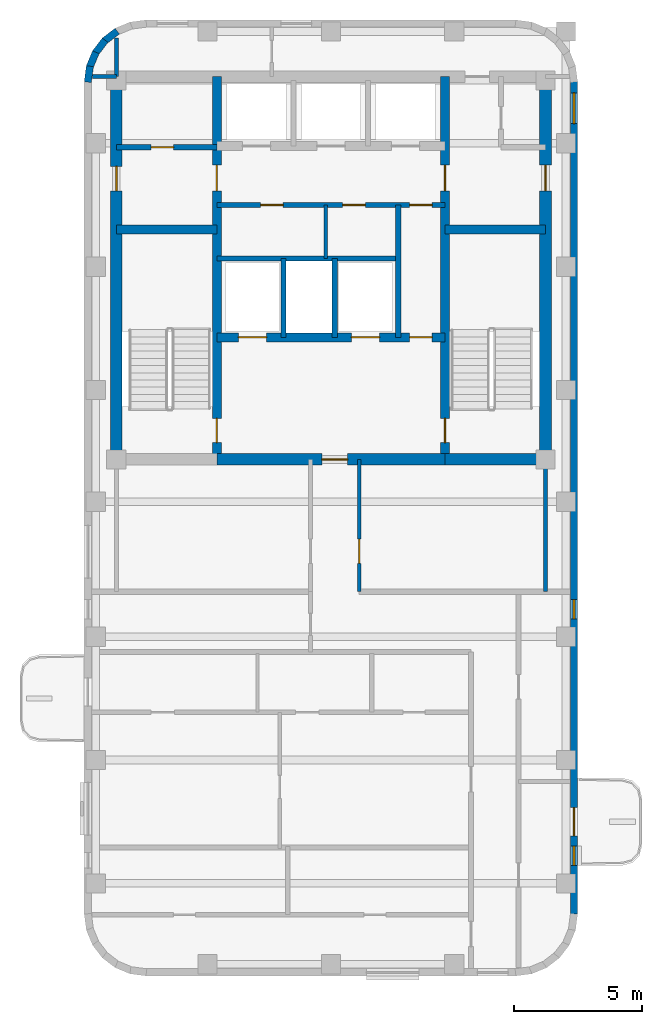
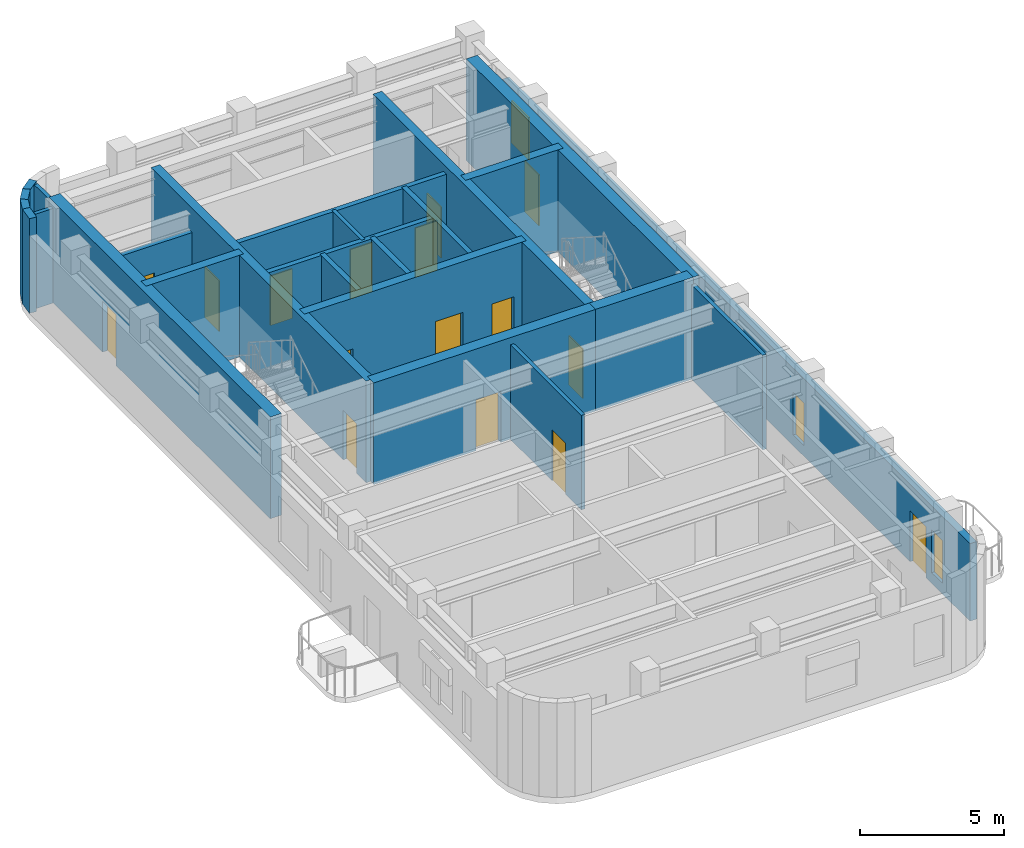
# One storey, part 3 of 5: 25 walls, 16 doors, 3 windows, 19 openings.
"""IFC4 building model written with IfcOpenShell, lengths in metres."""

from ifc_helpers import new_model, si_unit, direction, frame, frame_2d, origin, place, context, subcontext, project, spatial, rectangle, extrude, material, layer, layer_set, type_object, element, fill, save


model = new_model("IFC4")

# Units and contexts
model_context = context("Model", 3, precision=1e-05, world=origin(), true_north=direction((0.0, 1.0)))
body_context = subcontext(model_context, "Body", "Model", "MODEL_VIEW")
ifc_project = project(units=[si_unit("LENGTHUNIT", "METRE"), si_unit("AREAUNIT", "SQUARE_METRE"), si_unit("VOLUMEUNIT", "CUBIC_METRE"), si_unit("PLANEANGLEUNIT", "RADIAN"), si_unit("MASSUNIT", "GRAM", prefix="KILO")], contexts=[model_context])

# Site, building, storey
site_placement = place(None, origin())
site = spatial("IfcSite", under=ifc_project, at=site_placement, CompositionType="ELEMENT")
building_placement = place(site_placement, origin())
building = spatial("IfcBuilding", under=site, at=building_placement, Name="Orvandelia Arch Residences", CompositionType="ELEMENT")
storey_placement = place(building_placement, frame((0.0, 0.0, 287.10009765625)))
storey = spatial("IfcBuildingStorey", under=building, at=storey_placement, Name="L74", CompositionType="ELEMENT", Elevation=287.10009765625)

# Wall, openings, doors
ifc_material_1 = material(Name="Concrete C50/60", Category="concrete")
ifc_layer_1 = layer(ifc_material_1, 0.35009765625, Name="Concrete C50/60", Category="concrete")
ifc_layer_set_1 = layer_set([ifc_layer_1], Name="Concrete C50/60")
wall_type_1 = type_object("IfcWallType", Name="WL-CORE-350", PredefinedType="SHEAR", material=ifc_layer_set_1)
wall_1_placement = place(storey_placement, frame((9.9599609375, 30.89990234375, 0.0), z_axis=(0.0, 0.0, 1.0), x_axis=(0.0, 1.0, 0.0)))
wall_1 = element("IfcWall", 1, at=wall_1_placement, inside=storey, type_object=wall_type_1, Name="Core Shear Wall L74-WEB1", PredefinedType="SHEAR", context=body_context, shape_type="SweptSolid", body=[
    extrude(rectangle(XDim=14.900146484375, YDim=0.35009765625, at=frame_2d((7.4501953125, 0.0))), origin(), (0.0, 0.0, 1.0), 4.2998046875),
])
opening_1_placement = place(wall_1_placement, frame((0.64990234375, 0.0, 0.0)))
opening_1 = element("IfcOpeningElement", 2, at=opening_1_placement, cuts=wall_1, Name="Opening D7", PredefinedType="OPENING", context=body_context, shape_type="SweptSolid", body=[
    extrude(rectangle(XDim=0.949951171875, YDim=2.10009765625, at=frame_2d((0.47509765625, 1.050048828125))), frame((0.0, 0.18505859375, 0.0), z_axis=(0.0, -1.0, 0.0), x_axis=(1.0, 0.0, 0.0)), (0.0, 0.0, 1.0), 0.3701171875),
])
opening_2_placement = place(wall_1_placement, frame((10.449951171875, 0.0, 0.0)))
opening_2 = element("IfcOpeningElement", 3, at=opening_2_placement, cuts=wall_1, Name="Opening D6", PredefinedType="OPENING", context=body_context, shape_type="SweptSolid", body=[
    extrude(rectangle(XDim=1.0, YDim=2.14990234375, at=frame_2d((0.5, 1.074951171875))), frame((0.0, 0.18505859375, 0.0), z_axis=(0.0, -1.0, 0.0), x_axis=(1.0, 0.0, 0.0)), (0.0, 0.0, 1.0), 0.3701171875),
])
ifc_material_2 = material(Name="Smokeproof Painted Steel Fire Door", Category="steel")
door_type_1 = type_object("IfcDoorType", Name="DR-FD60-1000", OperationType="NOTDEFINED", PredefinedType="DOOR", material=ifc_material_2)
door_1_placement = place(opening_2_placement, origin())
door_1 = element("IfcDoor", 4, at=door_1_placement, inside=storey, type_object=door_type_1, Name="High-Rise Lift Hall West Vestibule Door L74", OperationType="SINGLE_SWING_LEFT", OverallHeight=2.14990234375, OverallWidth=1.0, PredefinedType="DOOR", context=body_context, shape_type="SweptSolid", body=[
    extrude(rectangle(XDim=1.0, YDim=2.14990234375, at=frame_2d((0.5, 1.074951171875))), frame((0.0, 0.02490234375, 0.0), z_axis=(0.0, -1.0, 0.0), x_axis=(1.0, 0.0, 0.0)), (0.0, 0.0, 1.0), 0.050048828125),
])
fill(opening_2, door_1)
ifc_material_3 = material(Name="Pressurised Stairwell Fire Door")
door_type_2 = type_object("IfcDoorType", Name="DR-STAIR-950", OperationType="NOTDEFINED", PredefinedType="DOOR", material=ifc_material_3)
door_2_placement = place(opening_1_placement, origin())
door_2 = element("IfcDoor", 5, at=door_2_placement, inside=storey, type_object=door_type_2, Name="Stairwell ST-1 Fire Door L74", OperationType="SINGLE_SWING_LEFT", OverallHeight=2.10009765625, OverallWidth=0.949951171875, PredefinedType="DOOR", context=body_context, shape_type="SweptSolid", body=[
    extrude(rectangle(XDim=0.949951171875, YDim=2.10009765625, at=frame_2d((0.47509765625, 1.050048828125))), frame((0.0, 0.02490234375, 0.0), z_axis=(0.0, -1.0, 0.0), x_axis=(1.0, 0.0, 0.0)), (0.0, 0.0, 1.0), 0.050048828125),
])
fill(opening_1, door_2)

wall_2_placement = place(storey_placement, frame((18.840087890625, 30.89990234375, 0.0), z_axis=(0.0, 0.0, 1.0), x_axis=(0.0, 1.0, 0.0)))
wall_2 = element("IfcWall", 6, at=wall_2_placement, inside=storey, type_object=wall_type_1, Name="Core Shear Wall L74-WEB2", PredefinedType="SHEAR", context=body_context, shape_type="SweptSolid", body=[
    extrude(rectangle(XDim=14.900146484375, YDim=0.35009765625, at=frame_2d((7.4501953125, 0.0))), origin(), (0.0, 0.0, 1.0), 4.2998046875),
])
opening_3_placement = place(wall_2_placement, frame((0.64990234375, 0.0, 0.0)))
opening_3 = element("IfcOpeningElement", 7, at=opening_3_placement, cuts=wall_2, Name="Opening D7", PredefinedType="OPENING", context=body_context, shape_type="SweptSolid", body=[
    extrude(rectangle(XDim=0.949951171875, YDim=2.10009765625, at=frame_2d((0.47509765625, 1.050048828125))), frame((0.0, 0.18505859375, 0.0), z_axis=(0.0, -1.0, 0.0), x_axis=(1.0, 0.0, 0.0)), (0.0, 0.0, 1.0), 0.3701171875),
])
opening_4_placement = place(wall_2_placement, frame((10.449951171875, 0.0, 0.0)))
opening_4 = element("IfcOpeningElement", 8, at=opening_4_placement, cuts=wall_2, Name="Opening D6", PredefinedType="OPENING", context=body_context, shape_type="SweptSolid", body=[
    extrude(rectangle(XDim=1.0, YDim=2.14990234375, at=frame_2d((0.5, 1.074951171875))), frame((0.0, 0.18505859375, 0.0), z_axis=(0.0, -1.0, 0.0), x_axis=(1.0, 0.0, 0.0)), (0.0, 0.0, 1.0), 0.3701171875),
])
door_3_placement = place(opening_4_placement, origin())
door_3 = element("IfcDoor", 9, at=door_3_placement, inside=storey, type_object=door_type_1, Name="High-Rise Lift Hall East Vestibule Door L74", OperationType="SINGLE_SWING_RIGHT", OverallHeight=2.14990234375, OverallWidth=1.0, PredefinedType="DOOR", context=body_context, shape_type="SweptSolid", body=[
    extrude(rectangle(XDim=1.0, YDim=2.14990234375, at=frame_2d((0.5, 1.074951171875))), frame((0.0, 0.02490234375, 0.0), z_axis=(0.0, -1.0, 0.0), x_axis=(1.0, 0.0, 0.0)), (0.0, 0.0, 1.0), 0.050048828125),
])
fill(opening_4, door_3)
door_4_placement = place(opening_3_placement, origin())
door_4 = element("IfcDoor", 10, at=door_4_placement, inside=storey, type_object=door_type_2, Name="Stairwell ST-2 Fire Door L74", OperationType="SINGLE_SWING_RIGHT", OverallHeight=2.10009765625, OverallWidth=0.949951171875, PredefinedType="DOOR", context=body_context, shape_type="SweptSolid", body=[
    extrude(rectangle(XDim=0.949951171875, YDim=2.10009765625, at=frame_2d((0.47509765625, 1.050048828125))), frame((0.0, 0.02490234375, 0.0), z_axis=(0.0, -1.0, 0.0), x_axis=(1.0, 0.0, 0.0)), (0.0, 0.0, 1.0), 0.050048828125),
])
fill(opening_3, door_4)

# Walls
for number, where, z_axis, x_axis, name in (
    (11, (6.050048828125, 39.85009765625, 0.0), (0.0, 0.0, 1.0), (1.0, 0.0, 0.0), "Core Shear Wall L74-HZ1"),
    (12, (18.840087890625, 39.85009765625, 0.0), (0.0, 0.0, 1.0), (1.0, 0.0, 0.0), "Core Shear Wall L74-HZ2"),
):
    element("IfcWall", number, at=place(storey_placement, frame(where, z_axis=z_axis, x_axis=x_axis)), inside=storey, type_object=wall_type_1, Name=name, PredefinedType="SHEAR", context=body_context, shape_type="SweptSolid", body=[
        extrude(rectangle(XDim=3.909912109375, YDim=0.35009765625, at=frame_2d((1.955078125, 0.0))), origin(), (0.0, 0.0, 1.0), 4.2998046875),
    ])

# Wall, openings, doors
wall_3_placement = place(storey_placement, frame((9.9599609375, 35.64990234375, 0.0), z_axis=(0.0, 0.0, 1.0), x_axis=(1.0, 0.0, 0.0)))
wall_3 = element("IfcWall", 13, at=wall_3_placement, inside=storey, type_object=wall_type_1, Name="Core Shear Wall L74-HZ3", PredefinedType="SHEAR", context=body_context, shape_type="SweptSolid", body=[
    extrude(rectangle(XDim=8.880126953125, YDim=0.35009765625, at=frame_2d((4.43994140625, 0.0))), origin(), (0.0, 0.0, 1.0), 4.2998046875),
])
opening_5_placement = place(wall_3_placement, frame((0.840087890625, 0.0, 0.0)))
opening_5 = element("IfcOpeningElement", 14, at=opening_5_placement, cuts=wall_3, Name="Opening FLD", PredefinedType="OPENING", context=body_context, shape_type="SweptSolid", body=[
    extrude(rectangle(XDim=1.10009765625, YDim=2.14990234375, at=frame_2d((0.550048828125, 1.074951171875))), frame((0.0, 0.18505859375, 0.0), z_axis=(0.0, -1.0, 0.0), x_axis=(1.0, 0.0, 0.0)), (0.0, 0.0, 1.0), 0.3701171875),
])
opening_6_placement = place(wall_3_placement, frame((5.239990234375, 0.0, 0.0)))
opening_6 = element("IfcOpeningElement", 15, at=opening_6_placement, cuts=wall_3, Name="Opening FLD", PredefinedType="OPENING", context=body_context, shape_type="SweptSolid", body=[
    extrude(rectangle(XDim=1.10009765625, YDim=2.14990234375, at=frame_2d((0.550048828125, 1.074951171875))), frame((0.0, 0.18505859375, 0.0), z_axis=(0.0, -1.0, 0.0), x_axis=(1.0, 0.0, 0.0)), (0.0, 0.0, 1.0), 0.3701171875),
])
opening_7_placement = place(wall_3_placement, frame((7.5, 0.0, 0.0)))
opening_7 = element("IfcOpeningElement", 16, at=opening_7_placement, cuts=wall_3, Name="Opening D5", PredefinedType="OPENING", context=body_context, shape_type="SweptSolid", body=[
    extrude(rectangle(XDim=0.8798828125, YDim=2.10009765625, at=frame_2d((0.43994140625, 1.050048828125))), frame((0.0, 0.18505859375, 0.0), z_axis=(0.0, -1.0, 0.0), x_axis=(1.0, 0.0, 0.0)), (0.0, 0.0, 1.0), 0.3701171875),
])
ifc_material_4 = material(Name="Firefighting Lift Stainless Sliding Door")
door_type_3 = type_object("IfcDoorType", Name="DR-FLFT-1100", OperationType="NOTDEFINED", PredefinedType="DOOR", material=ifc_material_4)
door_5_placement = place(opening_5_placement, origin())
door_5 = element("IfcDoor", 17, at=door_5_placement, inside=storey, type_object=door_type_3, Name="Firefighting Lift Landing Door FLD-FL1-L74", OperationType="SLIDING_TO_LEFT", OverallHeight=2.14990234375, OverallWidth=1.10009765625, PredefinedType="DOOR", context=body_context, shape_type="SweptSolid", body=[
    extrude(rectangle(XDim=1.10009765625, YDim=2.14990234375, at=frame_2d((0.550048828125, 1.074951171875))), frame((0.0, 0.02490234375, 0.0), z_axis=(0.0, -1.0, 0.0), x_axis=(1.0, 0.0, 0.0)), (0.0, 0.0, 1.0), 0.050048828125),
])
fill(opening_5, door_5)
door_6_placement = place(opening_6_placement, origin())
door_6 = element("IfcDoor", 18, at=door_6_placement, inside=storey, type_object=door_type_3, Name="Firefighting Lift Landing Door FLD-FL2-L74", OperationType="SLIDING_TO_RIGHT", OverallHeight=2.14990234375, OverallWidth=1.10009765625, PredefinedType="DOOR", context=body_context, shape_type="SweptSolid", body=[
    extrude(rectangle(XDim=1.10009765625, YDim=2.14990234375, at=frame_2d((0.550048828125, 1.074951171875))), frame((0.0, 0.02490234375, 0.0), z_axis=(0.0, -1.0, 0.0), x_axis=(1.0, 0.0, 0.0)), (0.0, 0.0, 1.0), 0.050048828125),
])
fill(opening_6, door_6)
ifc_material_5 = material(Name="Painted Galvanised Steel Service Door", Category="steel")
door_type_4 = type_object("IfcDoorType", Name="DR-SRV-880", OperationType="NOTDEFINED", PredefinedType="DOOR", material=ifc_material_5)
door_7_placement = place(opening_7_placement, origin())
door_7 = element("IfcDoor", 19, at=door_7_placement, inside=storey, type_object=door_type_4, Name="Core Stairway Passage South Fire Door L74", OperationType="SINGLE_SWING_LEFT", OverallHeight=2.10009765625, OverallWidth=0.8798828125, PredefinedType="DOOR", context=body_context, shape_type="SweptSolid", body=[
    extrude(rectangle(XDim=0.8798828125, YDim=2.10009765625, at=frame_2d((0.43994140625, 1.050048828125))), frame((0.0, 0.02490234375, 0.0), z_axis=(0.0, -1.0, 0.0), x_axis=(1.0, 0.0, 0.0)), (0.0, 0.0, 1.0), 0.050048828125),
])
fill(opening_7, door_7)

# Wall, opening, door
ifc_layer_2 = layer(ifc_material_1, 0.449951171875, Name="Concrete C50/60", Category="concrete")
ifc_layer_set_2 = layer_set([ifc_layer_2], Name="Concrete C50/60")
wall_type_2 = type_object("IfcWallType", Name="WL-CORE-450", PredefinedType="SHEAR", material=ifc_layer_set_2)
wall_4_placement = place(storey_placement, frame((6.050048828125, 30.675048828125, 0.0), z_axis=(0.0, 0.0, 1.0), x_axis=(0.0, 1.0, 0.0)))
wall_4 = element("IfcWall", 20, at=wall_4_placement, inside=storey, type_object=wall_type_2, Name="Core Shear Wall L74-W", PredefinedType="SHEAR", context=body_context, shape_type="SweptSolid", body=[
    extrude(rectangle(XDim=15.349853515625, YDim=0.449951171875, at=frame_2d((7.6748046875, 0.0))), origin(), (0.0, 0.0, 1.0), 4.2998046875),
])
opening_8_placement = place(wall_4_placement, frame((10.675048828125, 0.0, 0.0)))
opening_8 = element("IfcOpeningElement", 21, at=opening_8_placement, cuts=wall_4, Name="Opening D2", PredefinedType="OPENING", context=body_context, shape_type="SweptSolid", body=[
    extrude(rectangle(XDim=0.949951171875, YDim=2.14990234375, at=frame_2d((0.47509765625, 1.074951171875))), frame((0.0, 0.23486328125, 0.0), z_axis=(0.0, -1.0, 0.0), x_axis=(1.0, 0.0, 0.0)), (0.0, 0.0, 1.0), 0.469970703125),
])
ifc_material_6 = material(Name="Solid-Core Timber Interior Fire Door", Category="wood")
door_type_5 = type_object("IfcDoorType", Name="DR-APT-950", OperationType="NOTDEFINED", PredefinedType="DOOR", material=ifc_material_6)
door_8_placement = place(opening_8_placement, origin())
door_8 = element("IfcDoor", 22, at=door_8_placement, inside=storey, type_object=door_type_5, Name="West Viewing Study Door L74", OperationType="SINGLE_SWING_RIGHT", OverallHeight=2.14990234375, OverallWidth=0.949951171875, PredefinedType="DOOR", context=body_context, shape_type="SweptSolid", body=[
    extrude(rectangle(XDim=0.949951171875, YDim=2.14990234375, at=frame_2d((0.47509765625, 1.074951171875))), frame((0.0, 0.02490234375, 0.0), z_axis=(0.0, -1.0, 0.0), x_axis=(1.0, 0.0, 0.0)), (0.0, 0.0, 1.0), 0.050048828125),
])
fill(opening_8, door_8)

wall_5_placement = place(storey_placement, frame((22.75, 30.675048828125, 0.0), z_axis=(0.0, 0.0, 1.0), x_axis=(0.0, 1.0, 0.0)))
wall_5 = element("IfcWall", 23, at=wall_5_placement, inside=storey, type_object=wall_type_2, Name="Core Shear Wall L74-E", PredefinedType="SHEAR", context=body_context, shape_type="SweptSolid", body=[
    extrude(rectangle(XDim=15.349853515625, YDim=0.449951171875, at=frame_2d((7.6748046875, 0.0))), origin(), (0.0, 0.0, 1.0), 4.2998046875),
])
opening_9_placement = place(wall_5_placement, frame((10.675048828125, 0.0, 0.0)))
opening_9 = element("IfcOpeningElement", 24, at=opening_9_placement, cuts=wall_5, Name="Opening D6", PredefinedType="OPENING", context=body_context, shape_type="SweptSolid", body=[
    extrude(rectangle(XDim=1.0, YDim=2.14990234375, at=frame_2d((0.5, 1.074951171875))), frame((0.0, 0.23486328125, 0.0), z_axis=(0.0, -1.0, 0.0), x_axis=(1.0, 0.0, 0.0)), (0.0, 0.0, 1.0), 0.469970703125),
])
door_9_placement = place(opening_9_placement, origin())
door_9 = element("IfcDoor", 25, at=door_9_placement, inside=storey, type_object=door_type_1, Name="Core East Corridor Link Door L74", OperationType="SINGLE_SWING_LEFT", OverallHeight=2.14990234375, OverallWidth=1.0, PredefinedType="DOOR", context=body_context, shape_type="SweptSolid", body=[
    extrude(rectangle(XDim=1.0, YDim=2.14990234375, at=frame_2d((0.5, 1.074951171875))), frame((0.0, 0.02490234375, 0.0), z_axis=(0.0, -1.0, 0.0), x_axis=(1.0, 0.0, 0.0)), (0.0, 0.0, 1.0), 0.050048828125),
])
fill(opening_9, door_9)

wall_6_placement = place(storey_placement, frame((9.9599609375, 30.89990234375, 0.0), z_axis=(0.0, 0.0, 1.0), x_axis=(1.0, 0.0, 0.0)))
wall_6 = element("IfcWall", 26, at=wall_6_placement, inside=storey, type_object=wall_type_2, Name="Core Shear Wall L74-SM", PredefinedType="SHEAR", context=body_context, shape_type="SweptSolid", body=[
    extrude(rectangle(XDim=8.880126953125, YDim=0.449951171875, at=frame_2d((4.43994140625, 0.0))), origin(), (0.0, 0.0, 1.0), 4.2998046875),
])
opening_10_placement = place(wall_6_placement, frame((4.090087890625, 0.0, 0.0)))
opening_10 = element("IfcOpeningElement", 27, at=opening_10_placement, cuts=wall_6, Name="Opening D6", PredefinedType="OPENING", context=body_context, shape_type="SweptSolid", body=[
    extrude(rectangle(XDim=1.0, YDim=2.14990234375, at=frame_2d((0.5, 1.074951171875))), frame((0.0, 0.23486328125, 0.0), z_axis=(0.0, -1.0, 0.0), x_axis=(1.0, 0.0, 0.0)), (0.0, 0.0, 1.0), 0.469970703125),
])
door_10_placement = place(opening_10_placement, origin())
door_10 = element("IfcDoor", 28, at=door_10_placement, inside=storey, type_object=door_type_1, Name="Firefighting Lobby Smokeproof Door L74", OperationType="SINGLE_SWING_LEFT", OverallHeight=2.14990234375, OverallWidth=1.0, PredefinedType="DOOR", context=body_context, shape_type="SweptSolid", body=[
    extrude(rectangle(XDim=1.0, YDim=2.14990234375, at=frame_2d((0.5, 1.074951171875))), frame((0.0, 0.02490234375, 0.0), z_axis=(0.0, -1.0, 0.0), x_axis=(1.0, 0.0, 0.0)), (0.0, 0.0, 1.0), 0.050048828125),
])
fill(opening_10, door_10)

# Walls
wall_7_placement = place(storey_placement, frame((18.840087890625, 30.89990234375, 0.0), z_axis=(0.0, 0.0, 1.0), x_axis=(1.0, 0.0, 0.0)))
element("IfcWall", 29, at=wall_7_placement, inside=storey, type_object=wall_type_2, Name="Core Shear Wall L74-SE", PredefinedType="SHEAR", context=body_context, shape_type="SweptSolid", body=[
    extrude(rectangle(XDim=3.909912109375, YDim=0.449951171875, at=frame_2d((1.955078125, 0.0))), origin(), (0.0, 0.0, 1.0), 4.2998046875),
])
ifc_material_7 = material(Name="Precast concrete C40/50", Category="concrete")
ifc_layer_3 = layer(ifc_material_7, 0.280029296875, Name="Precast concrete C40/50", Category="concrete")
ifc_layer_set_3 = layer_set([ifc_layer_3], Name="Precast concrete C40/50")
wall_type_3 = type_object("IfcWallType", Name="WL-EXT-STONE-280", PredefinedType="STANDARD", material=ifc_layer_set_3)
for number, where, z_axis, x_axis, name in (
    (30, (4.938720703125, 45.581787109375, 0.0), (0.0, 0.0, 1.0), (0.130555323746, 0.9914410257, 0.0), "Coral-Limestone Precast Facade Wall L74-001"),
    (31, (5.010986328125, 46.16748046875, 0.0), (0.0, 0.0, 1.0), (0.382650053678, 0.92389335771, 0.0), "Coral-Limestone Precast Facade Wall L74-002"),
    (32, (5.232666015625, 46.71484375, 0.0), (0.0, 0.0, 1.0), (0.608693302629, 0.793405610854, 0.0), "Coral-Limestone Precast Facade Wall L74-003"),
    (33, (5.588134765625, 47.18603515625, 0.0), (0.0, 0.0, 1.0), (0.793405610854, 0.608693302629, 0.0), "Coral-Limestone Precast Facade Wall L74-004"),
):
    element("IfcWall", number, at=place(storey_placement, frame(where, z_axis=z_axis, x_axis=x_axis)), inside=storey, type_object=wall_type_3, Name=name, PredefinedType="STANDARD", context=body_context, shape_type="SweptSolid", body=[
        extrude(rectangle(XDim=0.62646484375, YDim=0.280029296875, at=frame_2d((0.313232421875, 0.0))), origin(), (0.0, 0.0, 1.0), 4.0),
    ])

# Wall, openings, door, windows
wall_8_placement = place(storey_placement, frame((23.860107421875, 45.60009765625, 0.0), z_axis=(0.0, 0.0, 1.0), x_axis=(0.0, -1.0, 0.0)))
wall_8 = element("IfcWall", 34, at=wall_8_placement, inside=storey, type_object=wall_type_3, Name="Coral-Limestone Precast Facade Wall L74-014", PredefinedType="STANDARD", context=body_context, shape_type="SweptSolid", body=[
    extrude(rectangle(XDim=32.400146484375, YDim=0.280029296875, at=frame_2d((16.2001953125, 0.0))), origin(), (0.0, 0.0, 1.0), 3.27978515625),
])
opening_11_placement = place(wall_8_placement, frame((28.25, 0.0, 0.0)))
opening_11 = element("IfcOpeningElement", 35, at=opening_11_placement, cuts=wall_8, Name="Opening BD1", PredefinedType="OPENING", context=body_context, shape_type="SweptSolid", body=[
    extrude(rectangle(XDim=1.10009765625, YDim=2.14990234375, at=frame_2d((0.550048828125, 1.074951171875))), frame((0.0, 0.14990234375, 0.0), z_axis=(0.0, -1.0, 0.0), x_axis=(1.0, 0.0, 0.0)), (0.0, 0.0, 1.0), 0.300048828125),
])
opening_12_placement = place(wall_8_placement, frame((29.75244140625, 0.0, 0.449951171875)))
opening_12 = element("IfcOpeningElement", 36, at=opening_12_placement, cuts=wall_8, Name="Opening W11", PredefinedType="OPENING", context=body_context, shape_type="SweptSolid", body=[
    extrude(rectangle(XDim=0.75, YDim=1.800048828125, at=frame_2d((0.375, 0.89990234375))), frame((0.0, 0.14990234375, 0.0), z_axis=(0.0, -1.0, 0.0), x_axis=(1.0, 0.0, 0.0)), (0.0, 0.0, 1.0), 0.300048828125),
])
opening_13_placement = place(wall_8_placement, frame((20.152587890625, 0.0, 0.449951171875)))
opening_13 = element("IfcOpeningElement", 37, at=opening_13_placement, cuts=wall_8, Name="Opening W11", PredefinedType="OPENING", context=body_context, shape_type="SweptSolid", body=[
    extrude(rectangle(XDim=0.75, YDim=1.800048828125, at=frame_2d((0.375, 0.89990234375))), frame((0.0, 0.14990234375, 0.0), z_axis=(0.0, -1.0, 0.0), x_axis=(1.0, 0.0, 0.0)), (0.0, 0.0, 1.0), 0.300048828125),
])
opening_14_placement = place(wall_8_placement, frame((0.4326171875, 0.0, 0.800048828125)))
opening_14 = element("IfcOpeningElement", 38, at=opening_14_placement, cuts=wall_8, Name="Opening W3", PredefinedType="OPENING", context=body_context, shape_type="SweptSolid", body=[
    extrude(rectangle(XDim=1.199951171875, YDim=1.800048828125, at=frame_2d((0.60009765625, 0.89990234375))), frame((0.0, 0.14990234375, 0.0), z_axis=(0.0, -1.0, 0.0), x_axis=(1.0, 0.0, 0.0)), (0.0, 0.0, 1.0), 0.300048828125),
])
ifc_material_8 = material(Name="Thermally Broken Aluminium Glazed Door", Category="aluminium")
door_type_6 = type_object("IfcDoorType", Name="DR-BAL-GLAZ-1100", OperationType="NOTDEFINED", PredefinedType="DOOR", material=ifc_material_8)
door_11_placement = place(opening_11_placement, origin())
door_11 = element("IfcDoor", 39, at=door_11_placement, inside=storey, type_object=door_type_6, Name="Tree Balcony Glazed Door BAL-L74-W2", OperationType="SINGLE_SWING_LEFT", OverallHeight=2.14990234375, OverallWidth=1.10009765625, PredefinedType="DOOR", context=body_context, shape_type="SweptSolid", body=[
    extrude(rectangle(XDim=1.10009765625, YDim=2.14990234375, at=frame_2d((0.550048828125, 1.074951171875))), frame((0.0, 0.02490234375, 0.0), z_axis=(0.0, -1.0, 0.0), x_axis=(1.0, 0.0, 0.0)), (0.0, 0.0, 1.0), 0.050048828125),
])
fill(opening_11, door_11)
ifc_material_9 = material(Name="Tempered Low-E Insulated Glazing", Category="glass")
window_type_1 = type_object("IfcWindowType", Name="WIN-BED-0750x1800", PartitioningType="SINGLE_PANEL", PredefinedType="WINDOW", material=ifc_material_9)
window_1_placement = place(opening_12_placement, origin())
window_1 = element("IfcWindow", 40, at=window_1_placement, inside=storey, type_object=window_type_1, Name="Recessed Punched Window L74-003", OverallHeight=1.800048828125, OverallWidth=0.75, PartitioningType="SINGLE_PANEL", PredefinedType="WINDOW", context=body_context, shape_type="SweptSolid", body=[
    extrude(rectangle(XDim=0.75, YDim=1.800048828125, at=frame_2d((0.375, 0.89990234375))), frame((0.0, 0.030029296875, 0.0), z_axis=(0.0, -1.0, 0.0), x_axis=(1.0, 0.0, 0.0)), (0.0, 0.0, 1.0), 0.06005859375),
])
fill(opening_12, window_1)
window_2_placement = place(opening_13_placement, origin())
window_2 = element("IfcWindow", 41, at=window_2_placement, inside=storey, type_object=window_type_1, Name="Recessed Punched Window L74-004", OverallHeight=1.800048828125, OverallWidth=0.75, PartitioningType="SINGLE_PANEL", PredefinedType="WINDOW", context=body_context, shape_type="SweptSolid", body=[
    extrude(rectangle(XDim=0.75, YDim=1.800048828125, at=frame_2d((0.375, 0.89990234375))), frame((0.0, 0.030029296875, 0.0), z_axis=(0.0, -1.0, 0.0), x_axis=(1.0, 0.0, 0.0)), (0.0, 0.0, 1.0), 0.06005859375),
])
fill(opening_13, window_2)
window_type_2 = type_object("IfcWindowType", Name="WIN-RES-1200x1800", PartitioningType="SINGLE_PANEL", PredefinedType="WINDOW", material=ifc_material_9)
window_3_placement = place(opening_14_placement, origin())
window_3 = element("IfcWindow", 42, at=window_3_placement, inside=storey, type_object=window_type_2, Name="Recessed Punched Window L74-005", OverallHeight=1.800048828125, OverallWidth=1.199951171875, PartitioningType="SINGLE_PANEL", PredefinedType="WINDOW", context=body_context, shape_type="SweptSolid", body=[
    extrude(rectangle(XDim=1.199951171875, YDim=1.800048828125, at=frame_2d((0.60009765625, 0.89990234375))), frame((0.0, 0.030029296875, 0.0), z_axis=(0.0, -1.0, 0.0), x_axis=(1.0, 0.0, 0.0)), (0.0, 0.0, 1.0), 0.06005859375),
])
fill(opening_14, window_3)

# Wall
ifc_material_10 = material(Name="Acoustic Gypsum Stud Partition")
ifc_layer_4 = layer(ifc_material_10, 0.14990234375, Name="Acoustic Gypsum Stud Partition")
ifc_layer_set_4 = layer_set([ifc_layer_4], Name="Acoustic Gypsum Stud Partition")
wall_type_4 = type_object("IfcWallType", Name="WL-PART-150", PredefinedType="PARTITIONING", material=ifc_layer_set_4)
wall_9_placement = place(storey_placement, frame((14.199951171875, 38.719970703125, 0.0), z_axis=(0.0, 0.0, 1.0), x_axis=(0.0, 1.0, 0.0)))
element("IfcWall", 43, at=wall_9_placement, inside=storey, type_object=wall_type_4, Name="Interior Partition Wall WL-L74-CSA-1", PredefinedType="PARTITIONING", context=body_context, shape_type="SweptSolid", body=[
    extrude(rectangle(XDim=2.080078125, YDim=0.14990234375, at=frame_2d((1.0400390625, 0.0))), origin(), (0.0, 0.0, 1.0), 4.0),
])

# Wall, opening, door
wall_10_placement = place(storey_placement, frame((15.5, 25.75, 0.0), z_axis=(0.0, 0.0, 1.0), x_axis=(0.0, 1.0, 0.0)))
wall_10 = element("IfcWall", 44, at=wall_10_placement, inside=storey, type_object=wall_type_4, Name="Interior Partition Wall WL-L74-HI-W2", PredefinedType="PARTITIONING", context=body_context, shape_type="SweptSolid", body=[
    extrude(rectangle(XDim=5.14990234375, YDim=0.14990234375, at=frame_2d((2.574951171875, 0.0))), origin(), (0.0, 0.0, 1.0), 4.0),
])
opening_15_placement = place(wall_10_placement, frame((1.10009765625, 0.0, 0.0)))
opening_15 = element("IfcOpeningElement", 45, at=opening_15_placement, cuts=wall_10, Name="Opening D2", PredefinedType="OPENING", context=body_context, shape_type="SweptSolid", body=[
    extrude(rectangle(XDim=0.949951171875, YDim=2.14990234375, at=frame_2d((0.47509765625, 1.074951171875))), frame((0.0, 0.0849609375, 0.0), z_axis=(0.0, -1.0, 0.0), x_axis=(1.0, 0.0, 0.0)), (0.0, 0.0, 1.0), 0.169921875),
])
door_12_placement = place(opening_15_placement, origin())
door_12 = element("IfcDoor", 46, at=door_12_placement, inside=storey, type_object=door_type_5, Name="DR-L74-HIR2", OperationType="SINGLE_SWING_RIGHT", OverallHeight=2.14990234375, OverallWidth=0.949951171875, PredefinedType="DOOR", context=body_context, shape_type="SweptSolid", body=[
    extrude(rectangle(XDim=0.949951171875, YDim=2.14990234375, at=frame_2d((0.47509765625, 1.074951171875))), frame((0.0, 0.02490234375, 0.0), z_axis=(0.0, -1.0, 0.0), x_axis=(1.0, 0.0, 0.0)), (0.0, 0.0, 1.0), 0.050048828125),
])
fill(opening_15, door_12)

# Walls
wall_11_placement = place(storey_placement, frame((22.75, 25.75, 0.0), z_axis=(0.0, 0.0, 1.0), x_axis=(0.0, 1.0, 0.0)))
element("IfcWall", 47, at=wall_11_placement, inside=storey, type_object=wall_type_4, Name="Interior Partition Wall WL-L74-HI-WE", PredefinedType="PARTITIONING", context=body_context, shape_type="SweptSolid", body=[
    extrude(rectangle(XDim=5.14990234375, YDim=0.14990234375, at=frame_2d((2.574951171875, 0.0))), origin(), (0.0, 0.0, 1.0), 4.0),
])
wall_12_placement = place(storey_placement, frame((5.1201171875, 45.800048828125, 0.0), z_axis=(0.0, 0.0, 1.0), x_axis=(1.0, 0.0, 0.0)))
element("IfcWall", 48, at=wall_12_placement, inside=storey, type_object=wall_type_4, Name="Interior Partition Wall WL-L74-WF-N", PredefinedType="PARTITIONING", context=body_context, shape_type="SweptSolid", body=[
    extrude(rectangle(XDim=0.929931640625, YDim=0.14990234375, at=frame_2d((0.46484375, 0.0))), origin(), (0.0, 0.0, 1.0), 4.0),
])
wall_13_placement = place(storey_placement, frame((6.050048828125, 45.800048828125, 0.0), z_axis=(0.0, 0.0, 1.0), x_axis=(0.0, 1.0, 0.0)))
element("IfcWall", 49, at=wall_13_placement, inside=storey, type_object=wall_type_4, Name="Interior Partition Wall WL-L74-NHI-W6", PredefinedType="PARTITIONING", context=body_context, shape_type="SweptSolid", body=[
    extrude(rectangle(XDim=1.5, YDim=0.14990234375, at=frame_2d((0.75, 0.0))), origin(), (0.0, 0.0, 1.0), 4.0),
])
ifc_material_11 = material(Name="Fire-Rated Shaft Enclosure Wall")
ifc_layer_5 = layer(ifc_material_11, 0.199951171875, Name="Fire-Rated Shaft Enclosure Wall")
ifc_layer_set_5 = layer_set([ifc_layer_5], Name="Fire-Rated Shaft Enclosure Wall")
wall_type_5 = type_object("IfcWallType", Name="WL-SHAFT-200", PredefinedType="POLYGONAL", material=ifc_layer_set_5)
wall_14_placement = place(storey_placement, frame((9.9599609375, 38.719970703125, 0.0), z_axis=(0.0, 0.0, 1.0), x_axis=(1.0, 0.0, 0.0)))
element("IfcWall", 50, at=wall_14_placement, inside=storey, type_object=wall_type_5, Name="Interior Partition Wall WL-L74-FLN", PredefinedType="POLYGONAL", context=body_context, shape_type="SweptSolid", body=[
    extrude(rectangle(XDim=7.06005859375, YDim=0.199951171875, at=frame_2d((3.530029296875, 0.0))), origin(), (0.0, 0.0, 1.0), 4.0),
])
for number, where, z_axis, x_axis, name in (
    (51, (12.550048828125, 35.64990234375, 0.0), (0.0, 0.0, 1.0), (0.0, 1.0, 0.0), "Interior Partition Wall WL-L74-FLM1"),
    (52, (14.550048828125, 35.64990234375, 0.0), (0.0, 0.0, 1.0), (0.0, 1.0, 0.0), "Interior Partition Wall WL-L74-FLM2"),
):
    element("IfcWall", number, at=place(storey_placement, frame(where, z_axis=z_axis, x_axis=x_axis)), inside=storey, type_object=wall_type_5, Name=name, PredefinedType="POLYGONAL", context=body_context, shape_type="SweptSolid", body=[
        extrude(rectangle(XDim=3.070068359375, YDim=0.199951171875, at=frame_2d((1.53515625, 0.0))), origin(), (0.0, 0.0, 1.0), 4.0),
    ])
wall_15_placement = place(storey_placement, frame((17.02001953125, 35.64990234375, 0.0), z_axis=(0.0, 0.0, 1.0), x_axis=(0.0, 1.0, 0.0)))
element("IfcWall", 53, at=wall_15_placement, inside=storey, type_object=wall_type_5, Name="Interior Partition Wall WL-L74-FLM3", PredefinedType="POLYGONAL", context=body_context, shape_type="SweptSolid", body=[
    extrude(rectangle(XDim=5.150146484375, YDim=0.199951171875, at=frame_2d((2.5751953125, 0.0))), origin(), (0.0, 0.0, 1.0), 4.0),
])

# Wall, openings, doors
wall_16_placement = place(storey_placement, frame((9.9599609375, 40.800048828125, 0.0), z_axis=(0.0, 0.0, 1.0), x_axis=(1.0, 0.0, 0.0)))
wall_16 = element("IfcWall", 54, at=wall_16_placement, inside=storey, type_object=wall_type_5, Name="Interior Partition Wall WL-L74-HLH-S", PredefinedType="POLYGONAL", context=body_context, shape_type="SweptSolid", body=[
    extrude(rectangle(XDim=8.880126953125, YDim=0.199951171875, at=frame_2d((4.43994140625, 0.0))), origin(), (0.0, 0.0, 1.0), 4.0),
])
opening_16_placement = place(wall_16_placement, frame((7.5, 0.0, 0.0)))
opening_16 = element("IfcOpeningElement", 55, at=opening_16_placement, cuts=wall_16, Name="Opening D5", PredefinedType="OPENING", context=body_context, shape_type="SweptSolid", body=[
    extrude(rectangle(XDim=0.8798828125, YDim=2.10009765625, at=frame_2d((0.43994140625, 1.050048828125))), frame((0.0, 0.10986328125, 0.0), z_axis=(0.0, -1.0, 0.0), x_axis=(1.0, 0.0, 0.0)), (0.0, 0.0, 1.0), 0.219970703125),
])
opening_17_placement = place(wall_16_placement, frame((1.699951171875, 0.0, 0.0)))
opening_17 = element("IfcOpeningElement", 56, at=opening_17_placement, cuts=wall_16, Name="Opening D5", PredefinedType="OPENING", context=body_context, shape_type="SweptSolid", body=[
    extrude(rectangle(XDim=0.8798828125, YDim=2.10009765625, at=frame_2d((0.43994140625, 1.050048828125))), frame((0.0, 0.10986328125, 0.0), z_axis=(0.0, -1.0, 0.0), x_axis=(1.0, 0.0, 0.0)), (0.0, 0.0, 1.0), 0.219970703125),
])
opening_18_placement = place(wall_16_placement, frame((4.89990234375, 0.0, 0.0)))
opening_18 = element("IfcOpeningElement", 57, at=opening_18_placement, cuts=wall_16, Name="Opening D5", PredefinedType="OPENING", context=body_context, shape_type="SweptSolid", body=[
    extrude(rectangle(XDim=0.8798828125, YDim=2.10009765625, at=frame_2d((0.43994140625, 1.050048828125))), frame((0.0, 0.10986328125, 0.0), z_axis=(0.0, -1.0, 0.0), x_axis=(1.0, 0.0, 0.0)), (0.0, 0.0, 1.0), 0.219970703125),
])
door_13_placement = place(opening_16_placement, origin())
door_13 = element("IfcDoor", 58, at=door_13_placement, inside=storey, type_object=door_type_4, Name="Core Stairway Passage North Fire Door L74", OperationType="SINGLE_SWING_RIGHT", OverallHeight=2.10009765625, OverallWidth=0.8798828125, PredefinedType="DOOR", context=body_context, shape_type="SweptSolid", body=[
    extrude(rectangle(XDim=0.8798828125, YDim=2.10009765625, at=frame_2d((0.43994140625, 1.050048828125))), frame((0.0, 0.02490234375, 0.0), z_axis=(0.0, -1.0, 0.0), x_axis=(1.0, 0.0, 0.0)), (0.0, 0.0, 1.0), 0.050048828125),
])
fill(opening_16, door_13)
door_14_placement = place(opening_17_placement, origin())
door_14 = element("IfcDoor", 59, at=door_14_placement, inside=storey, type_object=door_type_4, Name="DR-L74-CSA1", OperationType="SINGLE_SWING_LEFT", OverallHeight=2.10009765625, OverallWidth=0.8798828125, PredefinedType="DOOR", context=body_context, shape_type="SweptSolid", body=[
    extrude(rectangle(XDim=0.8798828125, YDim=2.10009765625, at=frame_2d((0.43994140625, 1.050048828125))), frame((0.0, 0.02490234375, 0.0), z_axis=(0.0, -1.0, 0.0), x_axis=(1.0, 0.0, 0.0)), (0.0, 0.0, 1.0), 0.050048828125),
])
fill(opening_17, door_14)
door_15_placement = place(opening_18_placement, origin())
door_15 = element("IfcDoor", 60, at=door_15_placement, inside=storey, type_object=door_type_4, Name="DR-L74-CSA2", OperationType="SINGLE_SWING_RIGHT", OverallHeight=2.10009765625, OverallWidth=0.8798828125, PredefinedType="DOOR", context=body_context, shape_type="SweptSolid", body=[
    extrude(rectangle(XDim=0.8798828125, YDim=2.10009765625, at=frame_2d((0.43994140625, 1.050048828125))), frame((0.0, 0.02490234375, 0.0), z_axis=(0.0, -1.0, 0.0), x_axis=(1.0, 0.0, 0.0)), (0.0, 0.0, 1.0), 0.050048828125),
])
fill(opening_18, door_15)

# Wall, opening, door
wall_17_placement = place(storey_placement, frame((6.050048828125, 43.050048828125, 0.0), z_axis=(0.0, 0.0, 1.0), x_axis=(1.0, 0.0, 0.0)))
wall_17 = element("IfcWall", 61, at=wall_17_placement, inside=storey, type_object=wall_type_5, Name="Interior Partition Wall WL-L74-HLW-N", PredefinedType="POLYGONAL", context=body_context, shape_type="SweptSolid", body=[
    extrude(rectangle(XDim=3.909912109375, YDim=0.199951171875, at=frame_2d((1.955078125, 0.0))), origin(), (0.0, 0.0, 1.0), 3.27978515625),
])
opening_19_placement = place(wall_17_placement, frame((1.35009765625, 0.0, 0.0)))
opening_19 = element("IfcOpeningElement", 62, at=opening_19_placement, cuts=wall_17, Name="Opening D5", PredefinedType="OPENING", context=body_context, shape_type="SweptSolid", body=[
    extrude(rectangle(XDim=0.8798828125, YDim=2.10009765625, at=frame_2d((0.43994140625, 1.050048828125))), frame((0.0, 0.10986328125, 0.0), z_axis=(0.0, -1.0, 0.0), x_axis=(1.0, 0.0, 0.0)), (0.0, 0.0, 1.0), 0.219970703125),
])
door_16_placement = place(opening_19_placement, origin())
door_16 = element("IfcDoor", 63, at=door_16_placement, inside=storey, type_object=door_type_4, Name="Riser Service Door L74", OperationType="SINGLE_SWING_RIGHT", OverallHeight=2.10009765625, OverallWidth=0.8798828125, PredefinedType="DOOR", context=body_context, shape_type="SweptSolid", body=[
    extrude(rectangle(XDim=0.8798828125, YDim=2.10009765625, at=frame_2d((0.43994140625, 1.050048828125))), frame((0.0, 0.02490234375, 0.0), z_axis=(0.0, -1.0, 0.0), x_axis=(1.0, 0.0, 0.0)), (0.0, 0.0, 1.0), 0.050048828125),
])
fill(opening_19, door_16)

save(model, "model.ifc")
